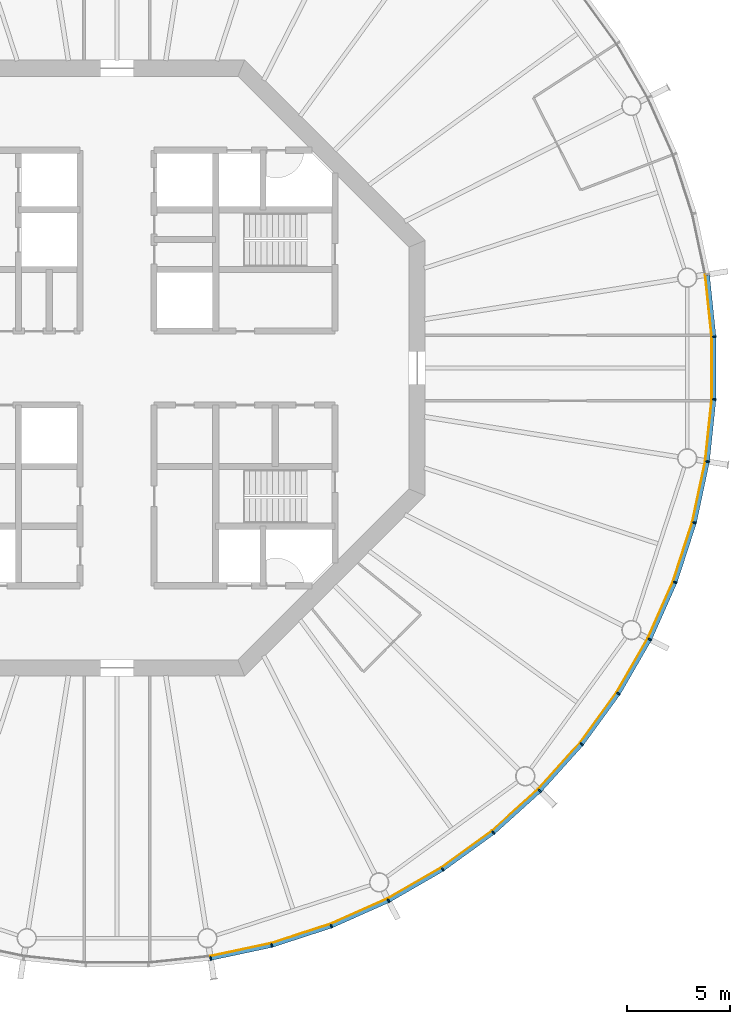
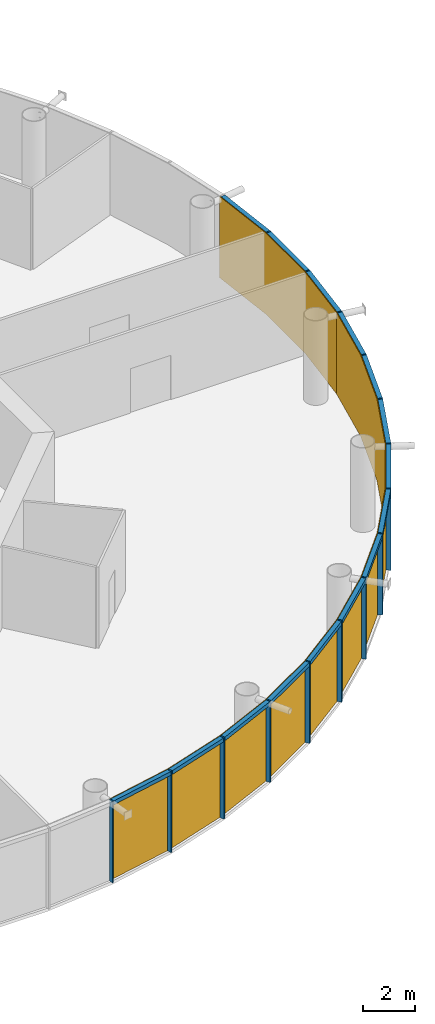
# One storey, part 12 of 16: 30 members, 5 curtain walls.
"""IFC4 building model written with IfcOpenShell, lengths in metres."""

import ifcopenshell
import ifcopenshell.guid

model = None  # the IFC model being written
_history = None  # IfcOwnerHistory: only IFC2X3 demands one
_inside = {}  # id of a spatial element -> (the spatial element, [elements in it])
_under = {}  # id of a project, library or spatial element -> (it, [spatial elements below it])
_declared = {}  # id of a project -> (the project, [libraries it declares])
_typed = {}  # id of a type object -> (the type object, [elements of that type])
_made_of = {}  # id of a material, layer set ... -> (it, [elements and type objects made of it])


def new_model(schema):
    """Start an empty IFC model of exactly this schema.

    Asked for "IFC4X3", IfcOpenShell would pick the latest addendum, in which some entities
    have other attributes; the version numbers below select the first issue.
    IFC2X3 requires an IfcOwnerHistory on every rooted entity: one is made here for all.
    """
    global model, _history
    if schema == "IFC4X3":
        model = ifcopenshell.file(schema_version=(4, 3, 0, 0))
    else:
        model = ifcopenshell.file(schema=schema)
    _inside.clear()
    _under.clear()
    _declared.clear()
    _typed.clear()
    _made_of.clear()
    _history = None
    if model.schema == "IFC2X3":
        org = make("IfcOrganization", Name="unknown")
        user = make(
            "IfcPersonAndOrganization",
            ThePerson=make("IfcPerson", FamilyName="unknown"),
            TheOrganization=org,
        )
        app = make(
            "IfcApplication",
            ApplicationDeveloper=org,
            Version="unknown",
            ApplicationFullName="unknown",
            ApplicationIdentifier="unknown",
        )
        _history = make(
            "IfcOwnerHistory",
            OwningUser=user,
            OwningApplication=app,
            ChangeAction="ADDED",
            CreationDate=0,
        )
    return model


def make(cls, **values):
    """One entity of the class cls with the attributes given. An attribute that is None is left unset."""
    return model.create_entity(
        cls, **{name: value for name, value in values.items() if value is not None}
    )


def rooted(cls, **values):
    """An entity with a GlobalId (a new one), such as an element, a storey or a relation."""
    return make(cls, GlobalId=ifcopenshell.guid.new(), OwnerHistory=_history, **values)


def si_unit(unit_type, name, prefix=None):
    """IfcSIUnit, for example si_unit("LENGTHUNIT", "METRE", prefix="MILLI")."""
    return make("IfcSIUnit", UnitType=unit_type, Prefix=prefix, Name=name)


def assignment(units):
    """IfcUnitAssignment: the units of a project."""
    return None if units is None else make("IfcUnitAssignment", Units=units)


def point(xyz):
    """IfcCartesianPoint."""
    return None if xyz is None else make("IfcCartesianPoint", Coordinates=xyz)


def direction(xyz):
    """IfcDirection."""
    return None if xyz is None else make("IfcDirection", DirectionRatios=xyz)


def frame(location, z_axis=None, x_axis=None):
    """IfcAxis2Placement3D, a coordinate frame: its origin and axes. An axis left out is left unset."""
    return make(
        "IfcAxis2Placement3D",
        Location=point(location),
        Axis=direction(z_axis),
        RefDirection=direction(x_axis),
    )


def frame_2d(location, x_axis=None):
    """IfcAxis2Placement2D, a coordinate frame in the plane: its origin and x axis."""
    return make(
        "IfcAxis2Placement2D", Location=point(location), RefDirection=direction(x_axis)
    )


def origin():
    """The frame at (0, 0, 0) with its axes left unset."""
    return frame((0.0, 0.0, 0.0))


def origin_2d():
    """The frame at (0, 0) in the plane with its x axis left unset."""
    return frame_2d((0.0, 0.0))


def place(relative_to, where):
    """IfcLocalPlacement: puts the frame where relative to a parent placement (None: the world)."""
    return make(
        "IfcLocalPlacement", PlacementRelTo=relative_to, RelativePlacement=where
    )


def context(
    kind, dimensions, precision=None, world=None, true_north=None, identifier=None
):
    """IfcGeometricRepresentationContext, for example the 3D "Model" context."""
    return make(
        "IfcGeometricRepresentationContext",
        ContextIdentifier=identifier,
        ContextType=kind,
        CoordinateSpaceDimension=dimensions,
        Precision=precision,
        WorldCoordinateSystem=world,
        TrueNorth=true_north,
    )


def subcontext(parent, identifier, kind, view, scale=None):
    """IfcGeometricRepresentationSubContext, for example "Body" below "Model"."""
    return make(
        "IfcGeometricRepresentationSubContext",
        ContextIdentifier=identifier,
        ContextType=kind,
        ParentContext=parent,
        TargetScale=scale,
        TargetView=view,
    )


def project(units=None, contexts=None):
    """IfcProject with its units and contexts."""
    return rooted(
        "IfcProject",
        Name="project",
        RepresentationContexts=contexts,
        UnitsInContext=assignment(units),
    )


def spatial(cls, under=None, at=None, **own):
    """A site, building, storey or space (cls), placed at a placement, below another one or the project."""
    s = rooted(cls, ObjectPlacement=at, **own)
    if under is not None:
        _under.setdefault(under.id(), (under, []))[1].append(s)
    return s


def polyline(points):
    """IfcPolyline through the points."""
    return make("IfcPolyline", Points=[point(p) for p in points])


def profile(cls, at=None, kind="AREA", **sizes):
    """A parametric profile (cls). Its sizes go by their IFC names, for example OverallWidth=200.0."""
    return make(cls, ProfileType=kind, Position=at, **sizes)


def rectangle(**sizes):
    """IfcRectangleProfileDef."""
    return profile("IfcRectangleProfileDef", **sizes)


def outline(outer, holes=None, kind="AREA"):
    """IfcArbitraryClosedProfileDef: a profile drawn as a closed curve; with holes, ...WithVoids."""
    if holes is None:
        return make("IfcArbitraryClosedProfileDef", ProfileType=kind, OuterCurve=outer)
    return make(
        "IfcArbitraryProfileDefWithVoids",
        ProfileType=kind,
        OuterCurve=outer,
        InnerCurves=holes,
    )


def extrude(swept, where, along, depth):
    """IfcExtrudedAreaSolid: the profile swept, set in the frame where, extruded along a direction by depth."""
    return make(
        "IfcExtrudedAreaSolid",
        SweptArea=swept,
        Position=where,
        ExtrudedDirection=direction(along),
        Depth=depth,
    )


def shape(context_of_items, identifier, shape_type, items):
    """IfcShapeRepresentation: the items that make up one representation, for example the "Body"."""
    return make(
        "IfcShapeRepresentation",
        ContextOfItems=context_of_items,
        RepresentationIdentifier=identifier,
        RepresentationType=shape_type,
        Items=items,
    )


def material(Name=None, Category=None):
    """IfcMaterial."""
    return make("IfcMaterial", Name=Name, Category=Category)


def layer(
    of_material, thickness, ventilated=None, Name=None, Category=None, Priority=None
):
    """IfcMaterialLayer: one layer of a wall or slab, of a material (None: an air gap)."""
    return make(
        "IfcMaterialLayer",
        Material=of_material,
        LayerThickness=thickness,
        IsVentilated=ventilated,
        Name=Name,
        Category=Category,
        Priority=Priority,
    )


def layer_set(layers, Name=None):
    """IfcMaterialLayerSet."""
    return make("IfcMaterialLayerSet", MaterialLayers=layers, LayerSetName=Name)


def material_profile(
    of_material, cross_section, Name=None, Category=None, Priority=None
):
    """IfcMaterialProfile: a cross section and its material."""
    return make(
        "IfcMaterialProfile",
        Name=Name,
        Material=of_material,
        Profile=cross_section,
        Priority=Priority,
        Category=Category,
    )


def profile_set(profiles, Name=None, composite=None):
    """IfcMaterialProfileSet."""
    return make(
        "IfcMaterialProfileSet",
        Name=Name,
        MaterialProfiles=profiles,
        CompositeProfile=composite,
    )


def made_of(thing, what):
    """Note that an element or type object is made of a material, layer set ...; save() writes the relation."""
    if what is not None:
        _made_of.setdefault(what.id(), (what, []))[1].append(thing)
    return thing


def type_object(cls, material=None, **own):
    """A type object (cls), such as IfcWallType, which elements share."""
    return made_of(rooted(cls, **own), material)


def element(
    cls,
    number,
    at=None,
    inside=None,
    cuts=None,
    type_object=None,
    material=None,
    context=None,
    identifier="Body",
    shape_type=None,
    held_by="IfcProductDefinitionShape",
    body=None,
    shapes=None,
    **own,
):
    """One element of the class cls, such as IfcWall. Its Tag is "e" and its number.

    at: its placement. inside: the storey or other place that contains it. cuts: it is an
    opening in that element (IfcRelVoidsElement). A single representation is given by context,
    identifier, shape_type and body (its items); several are given by shapes. held_by: the class
    of the entity that holds the representations. save() writes the other relations.
    """
    e = rooted(cls, Tag="e%d" % number, ObjectPlacement=at, **own)
    if body is not None:
        shapes = [shape(context, identifier, shape_type, body)]
    if shapes is not None:
        e.Representation = make(held_by, Representations=shapes)
    if inside is not None:
        _inside.setdefault(inside.id(), (inside, []))[1].append(e)
    if cuts is not None:
        rooted(
            "IfcRelVoidsElement", RelatingBuildingElement=cuts, RelatedOpeningElement=e
        )
    if type_object is not None:
        _typed.setdefault(type_object.id(), (type_object, []))[1].append(e)
    return made_of(e, material)


def aggregate(whole, parts):
    """IfcRelAggregates: a whole, such as a stair, and the parts it consists of."""
    return rooted("IfcRelAggregates", RelatingObject=whole, RelatedObjects=parts)


def save(model, path):
    """Write the relations noted so far, then the file.

    IfcRelAggregates (storeys below a building ...), IfcRelContainedInSpatialStructure (elements
    in a storey), IfcRelDefinesByType, IfcRelAssociatesMaterial and IfcRelDeclares: one each for
    every whole, place, type object, material and project.
    """
    for whole, parts in _under.values():
        aggregate(whole, parts)
    for where, things in _inside.values():
        rooted(
            "IfcRelContainedInSpatialStructure",
            RelatedElements=things,
            RelatingStructure=where,
        )
    for kind, things in _typed.values():
        rooted("IfcRelDefinesByType", RelatedObjects=things, RelatingType=kind)
    for what, things in _made_of.values():
        rooted("IfcRelAssociatesMaterial", RelatedObjects=things, RelatingMaterial=what)
    for by, libraries in _declared.values():
        rooted("IfcRelDeclares", RelatingContext=by, RelatedDefinitions=libraries)
    model.write(path)


model = new_model("IFC4")

# Units and contexts
model_context = context("Model", 3, precision=1e-05, world=origin(), true_north=direction((0.0, 1.0)))
body_context = subcontext(model_context, "Body", "Model", "MODEL_VIEW")
ifc_project = project(units=[si_unit("LENGTHUNIT", "METRE"), si_unit("AREAUNIT", "SQUARE_METRE"), si_unit("VOLUMEUNIT", "CUBIC_METRE"), si_unit("PLANEANGLEUNIT", "RADIAN"), si_unit("MASSUNIT", "GRAM", prefix="KILO")], contexts=[model_context])

# Member
ifc_material_1 = material(Name="Anodised aluminium", Category="aluminium")
ifc_material_profile_1 = material_profile(ifc_material_1, rectangle(XDim=0.06494140625, YDim=0.195068359375, at=origin_2d()), Name="Mullion 65 x 195 mm anodised aluminium")
ifc_profile_set_1 = profile_set([ifc_material_profile_1], Name="Anodised aluminium")
member_type_1 = type_object("IfcMemberType", Name="Mullion 65 x 195 mm anodised aluminium", PredefinedType="MULLION", material=ifc_profile_set_1)
site_placement = place(None, origin())
building_placement = place(site_placement, origin())
storey_placement = place(building_placement, frame((0.0, 0.0, 326.0)))
member_1_placement = place(storey_placement, frame((94.5517578125, 51.2607421875, 0.0), z_axis=(0.0, 0.0, 1.0), x_axis=(0.987688340595, 0.15643446504, 0.0)))
member_1 = element("IfcMember", 1, at=member_1_placement, type_object=member_type_1, Name="MULLION L75-45", PredefinedType="MULLION", context=body_context, shape_type="SweptSolid", body=[
    extrude(rectangle(XDim=0.06494140625, YDim=0.195068359375, at=origin_2d()), origin(), (0.0, 0.0, 1.0), 3.85009765625),
])

member_2_placement = place(storey_placement, frame((97.531005859375, 51.89404296875, 0.0), z_axis=(0.0, 0.0, 1.0), x_axis=(0.965925826289, 0.258819045103, 0.0)))
member_2 = element("IfcMember", 2, at=member_2_placement, type_object=member_type_1, Name="MULLION L75-46", PredefinedType="MULLION", context=body_context, shape_type="SweptSolid", body=[
    extrude(rectangle(XDim=0.06494140625, YDim=0.195068359375, at=origin_2d()), origin(), (0.0, 0.0, 1.0), 3.85009765625),
])

member_3_placement = place(storey_placement, frame((100.427490234375, 52.835205078125, 0.0), z_axis=(0.0, 0.0, 1.0), x_axis=(0.933580426497, 0.358367949545, 0.0)))
member_3 = element("IfcMember", 3, at=member_3_placement, type_object=member_type_1, Name="MULLION L75-47", PredefinedType="MULLION", context=body_context, shape_type="SweptSolid", body=[
    extrude(rectangle(XDim=0.06494140625, YDim=0.195068359375, at=origin_2d()), origin(), (0.0, 0.0, 1.0), 3.85009765625),
])

member_4_placement = place(storey_placement, frame((103.2099609375, 54.073974609375, 0.0), z_axis=(0.0, 0.0, 1.0), x_axis=(0.891006524188, 0.45399049974, 0.0)))
member_4 = element("IfcMember", 4, at=member_4_placement, type_object=member_type_1, Name="MULLION L75-48", PredefinedType="MULLION", context=body_context, shape_type="SweptSolid", body=[
    extrude(rectangle(XDim=0.06494140625, YDim=0.195068359375, at=origin_2d()), origin(), (0.0, 0.0, 1.0), 3.85009765625),
])

member_5_placement = place(storey_placement, frame((105.84765625, 55.5966796875, 0.0), z_axis=(0.0, 0.0, 1.0), x_axis=(0.838670567945, 0.544639035015, 0.0)))
member_5 = element("IfcMember", 5, at=member_5_placement, type_object=member_type_1, Name="MULLION L75-49", PredefinedType="MULLION", context=body_context, shape_type="SweptSolid", body=[
    extrude(rectangle(XDim=0.06494140625, YDim=0.195068359375, at=origin_2d()), origin(), (0.0, 0.0, 1.0), 3.85009765625),
])

member_6_placement = place(storey_placement, frame((108.311767578125, 57.386962890625, 0.0), z_axis=(0.0, 0.0, 1.0), x_axis=(0.777145961457, 0.62932039105, 0.0)))
member_6 = element("IfcMember", 6, at=member_6_placement, type_object=member_type_1, Name="MULLION L75-50", PredefinedType="MULLION", context=body_context, shape_type="SweptSolid", body=[
    extrude(rectangle(XDim=0.06494140625, YDim=0.195068359375, at=origin_2d()), origin(), (0.0, 0.0, 1.0), 3.85009765625),
])

member_7_placement = place(storey_placement, frame((110.574951171875, 59.425048828125, 0.0), z_axis=(0.0, 0.0, 1.0), x_axis=(0.707106781187, 0.707106781187, 0.0)))
member_7 = element("IfcMember", 7, at=member_7_placement, type_object=member_type_1, Name="MULLION L75-51", PredefinedType="MULLION", context=body_context, shape_type="SweptSolid", body=[
    extrude(rectangle(XDim=0.06494140625, YDim=0.195068359375, at=origin_2d()), origin(), (0.0, 0.0, 1.0), 3.85009765625),
])

member_8_placement = place(storey_placement, frame((112.613037109375, 61.688232421875, 0.0), z_axis=(0.0, 0.0, 1.0), x_axis=(0.62932039105, 0.777145961457, 0.0)))
member_8 = element("IfcMember", 8, at=member_8_placement, type_object=member_type_1, Name="MULLION L75-52", PredefinedType="MULLION", context=body_context, shape_type="SweptSolid", body=[
    extrude(rectangle(XDim=0.06494140625, YDim=0.195068359375, at=origin_2d()), origin(), (0.0, 0.0, 1.0), 3.85009765625),
])

member_9_placement = place(storey_placement, frame((114.4033203125, 64.15234375, 0.0), z_axis=(0.0, 0.0, 1.0), x_axis=(0.544639035015, 0.838670567945, 0.0)))
member_9 = element("IfcMember", 9, at=member_9_placement, type_object=member_type_1, Name="MULLION L75-53", PredefinedType="MULLION", context=body_context, shape_type="SweptSolid", body=[
    extrude(rectangle(XDim=0.06494140625, YDim=0.195068359375, at=origin_2d()), origin(), (0.0, 0.0, 1.0), 3.85009765625),
])

member_10_placement = place(storey_placement, frame((115.926025390625, 66.7900390625, 0.0), z_axis=(0.0, 0.0, 1.0), x_axis=(0.45399049974, 0.891006524188, 0.0)))
member_10 = element("IfcMember", 10, at=member_10_placement, type_object=member_type_1, Name="MULLION L75-54", PredefinedType="MULLION", context=body_context, shape_type="SweptSolid", body=[
    extrude(rectangle(XDim=0.06494140625, YDim=0.195068359375, at=origin_2d()), origin(), (0.0, 0.0, 1.0), 3.85009765625),
])

member_11_placement = place(storey_placement, frame((117.164794921875, 69.572509765625, 0.0), z_axis=(0.0, 0.0, 1.0), x_axis=(0.358367949545, 0.933580426497, 0.0)))
member_11 = element("IfcMember", 11, at=member_11_placement, type_object=member_type_1, Name="MULLION L75-55", PredefinedType="MULLION", context=body_context, shape_type="SweptSolid", body=[
    extrude(rectangle(XDim=0.06494140625, YDim=0.195068359375, at=origin_2d()), origin(), (0.0, 0.0, 1.0), 3.85009765625),
])

member_12_placement = place(storey_placement, frame((118.10595703125, 72.468994140625, 0.0), z_axis=(0.0, 0.0, 1.0), x_axis=(0.258819045103, 0.965925826289, 0.0)))
member_12 = element("IfcMember", 12, at=member_12_placement, type_object=member_type_1, Name="MULLION L75-56", PredefinedType="MULLION", context=body_context, shape_type="SweptSolid", body=[
    extrude(rectangle(XDim=0.06494140625, YDim=0.195068359375, at=origin_2d()), origin(), (0.0, 0.0, 1.0), 3.85009765625),
])

member_13_placement = place(storey_placement, frame((118.7392578125, 75.4482421875, 0.0), z_axis=(0.0, 0.0, 1.0), x_axis=(0.15643446504, 0.987688340595, 0.0)))
member_13 = element("IfcMember", 13, at=member_13_placement, type_object=member_type_1, Name="MULLION L75-57", PredefinedType="MULLION", context=body_context, shape_type="SweptSolid", body=[
    extrude(rectangle(XDim=0.06494140625, YDim=0.195068359375, at=origin_2d()), origin(), (0.0, 0.0, 1.0), 3.85009765625),
])

member_14_placement = place(storey_placement, frame((119.0576171875, 78.47705078125, 0.0), z_axis=(0.0, 0.0, 1.0), x_axis=(0.052335956243, 0.998629534755, 0.0)))
member_14 = element("IfcMember", 14, at=member_14_placement, type_object=member_type_1, Name="MULLION L75-58", PredefinedType="MULLION", context=body_context, shape_type="SweptSolid", body=[
    extrude(rectangle(XDim=0.06494140625, YDim=0.195068359375, at=origin_2d()), origin(), (0.0, 0.0, 1.0), 3.85009765625),
])

member_15_placement = place(storey_placement, frame((119.0576171875, 81.52294921875, 0.0), z_axis=(0.0, 0.0, 1.0), x_axis=(-0.052335956243, 0.998629534755, 0.0)))
member_15 = element("IfcMember", 15, at=member_15_placement, type_object=member_type_1, Name="MULLION L75-59", PredefinedType="MULLION", context=body_context, shape_type="SweptSolid", body=[
    extrude(rectangle(XDim=0.06494140625, YDim=0.195068359375, at=origin_2d()), origin(), (0.0, 0.0, 1.0), 3.85009765625),
])

ifc_material_2 = material(Name="Anodised aluminium", Category="aluminium")
ifc_material_profile_2 = material_profile(ifc_material_2, rectangle(XDim=0.195068359375, YDim=0.179931640625, at=origin_2d()), Name="Transom 180 x 195 mm anodised aluminium")
ifc_profile_set_2 = profile_set([ifc_material_profile_2], Name="Anodised aluminium")
member_type_2 = type_object("IfcMemberType", Name="Transom 180 x 195 mm anodised aluminium", PredefinedType="USERDEFINED", material=ifc_profile_set_2)
member_16_placement = place(storey_placement, frame((94.588623046875, 51.268310546875, 3.760009765625), z_axis=(0.978141510112, 0.207940342877, 0.0), x_axis=(-0.207940342877, 0.978141510112, 0.0)))
member_16 = element("IfcMember", 16, at=member_16_placement, type_object=member_type_2, Name="TRANSOM L75-45", ObjectType="TRANSOM", PredefinedType="USERDEFINED", context=body_context, shape_type="SweptSolid", body=[
    extrude(rectangle(XDim=0.195068359375, YDim=0.179931640625, at=origin_2d()), origin(), (0.0, 0.0, 1.0), 2.970458984375),
])

member_17_placement = place(storey_placement, frame((97.56689453125, 51.905517578125, 3.760009765625), z_axis=(0.951047960094, 0.309043326415, 0.0), x_axis=(-0.309043326415, 0.951047960094, 0.0)))
member_17 = element("IfcMember", 17, at=member_17_placement, type_object=member_type_2, Name="TRANSOM L75-46", ObjectType="TRANSOM", PredefinedType="USERDEFINED", context=body_context, shape_type="SweptSolid", body=[
    extrude(rectangle(XDim=0.195068359375, YDim=0.179931640625, at=origin_2d()), origin(), (0.0, 0.0, 1.0), 2.970458984375),
])

member_18_placement = place(storey_placement, frame((100.4619140625, 52.850341796875, 3.760009765625), z_axis=(0.913550406593, 0.406725527369, 0.0), x_axis=(-0.406725527369, 0.913550406593, 0.0)))
member_18 = element("IfcMember", 18, at=member_18_placement, type_object=member_type_2, Name="TRANSOM L75-47", ObjectType="TRANSOM", PredefinedType="USERDEFINED", context=body_context, shape_type="SweptSolid", body=[
    extrude(rectangle(XDim=0.195068359375, YDim=0.179931640625, at=origin_2d()), origin(), (0.0, 0.0, 1.0), 2.970703125),
])

member_19_placement = place(storey_placement, frame((103.24267578125, 54.092529296875, 3.760009765625), z_axis=(0.866009025146, 0.500028367561, 0.0), x_axis=(-0.500028367561, 0.866009025146, 0.0)))
member_19 = element("IfcMember", 19, at=member_19_placement, type_object=member_type_2, Name="TRANSOM L75-48", ObjectType="TRANSOM", PredefinedType="USERDEFINED", context=body_context, shape_type="SweptSolid", body=[
    extrude(rectangle(XDim=0.195068359375, YDim=0.179931640625, at=origin_2d()), origin(), (0.0, 0.0, 1.0), 2.970458984375),
])

member_20_placement = place(storey_placement, frame((105.878173828125, 55.618896484375, 3.760009765625), z_axis=(0.809030990733, 0.587765987476, 0.0), x_axis=(-0.587765987476, 0.809030990733, 0.0)))
member_20 = element("IfcMember", 20, at=member_20_placement, type_object=member_type_2, Name="TRANSOM L75-49", ObjectType="TRANSOM", PredefinedType="USERDEFINED", context=body_context, shape_type="SweptSolid", body=[
    extrude(rectangle(XDim=0.195068359375, YDim=0.179931640625, at=origin_2d()), origin(), (0.0, 0.0, 1.0), 2.97021484375),
])

member_21_placement = place(storey_placement, frame((108.339599609375, 57.412109375, 3.760009765625), z_axis=(0.743163354343, 0.669110027395, 0.0), x_axis=(-0.669110027395, 0.743163354343, 0.0)))
member_21 = element("IfcMember", 21, at=member_21_placement, type_object=member_type_2, Name="TRANSOM L75-50", ObjectType="TRANSOM", PredefinedType="USERDEFINED", context=body_context, shape_type="SweptSolid", body=[
    extrude(rectangle(XDim=0.195068359375, YDim=0.179931640625, at=origin_2d()), origin(), (0.0, 0.0, 1.0), 2.970458984375),
])

member_22_placement = place(storey_placement, frame((110.600341796875, 59.452880859375, 3.760009765625), z_axis=(0.669110027395, 0.743163354343, 0.0), x_axis=(-0.743163354343, 0.669110027395, 0.0)))
member_22 = element("IfcMember", 22, at=member_22_placement, type_object=member_type_2, Name="TRANSOM L75-51", ObjectType="TRANSOM", PredefinedType="USERDEFINED", context=body_context, shape_type="SweptSolid", body=[
    extrude(rectangle(XDim=0.195068359375, YDim=0.179931640625, at=origin_2d()), origin(), (0.0, 0.0, 1.0), 2.970458984375),
])

member_23_placement = place(storey_placement, frame((112.63525390625, 61.71875, 3.760009765625), z_axis=(0.587765987476, 0.809030990733, 0.0), x_axis=(-0.809030990733, 0.587765987476, 0.0)))
member_23 = element("IfcMember", 23, at=member_23_placement, type_object=member_type_2, Name="TRANSOM L75-52", ObjectType="TRANSOM", PredefinedType="USERDEFINED", context=body_context, shape_type="SweptSolid", body=[
    extrude(rectangle(XDim=0.195068359375, YDim=0.179931640625, at=origin_2d()), origin(), (0.0, 0.0, 1.0), 2.97021484375),
])

member_24_placement = place(storey_placement, frame((114.422119140625, 64.184814453125, 3.760009765625), z_axis=(0.500028367561, 0.866009025146, 0.0), x_axis=(-0.866009025146, 0.500028367561, 0.0)))
member_24 = element("IfcMember", 24, at=member_24_placement, type_object=member_type_2, Name="TRANSOM L75-53", ObjectType="TRANSOM", PredefinedType="USERDEFINED", context=body_context, shape_type="SweptSolid", body=[
    extrude(rectangle(XDim=0.195068359375, YDim=0.179931640625, at=origin_2d()), origin(), (0.0, 0.0, 1.0), 2.970458984375),
])

member_25_placement = place(storey_placement, frame((115.94140625, 66.82421875, 3.760009765625), z_axis=(0.406725527369, 0.913550406593, 0.0), x_axis=(-0.913550406593, 0.406725527369, 0.0)))
member_25 = element("IfcMember", 25, at=member_25_placement, type_object=member_type_2, Name="TRANSOM L75-54", ObjectType="TRANSOM", PredefinedType="USERDEFINED", context=body_context, shape_type="SweptSolid", body=[
    extrude(rectangle(XDim=0.195068359375, YDim=0.179931640625, at=origin_2d()), origin(), (0.0, 0.0, 1.0), 2.970703125),
])

member_26_placement = place(storey_placement, frame((117.176513671875, 69.608154296875, 3.760009765625), z_axis=(0.309043326415, 0.951047960094, 0.0), x_axis=(-0.951047960094, 0.309043326415, 0.0)))
member_26 = element("IfcMember", 26, at=member_26_placement, type_object=member_type_2, Name="TRANSOM L75-55", ObjectType="TRANSOM", PredefinedType="USERDEFINED", context=body_context, shape_type="SweptSolid", body=[
    extrude(rectangle(XDim=0.195068359375, YDim=0.179931640625, at=origin_2d()), origin(), (0.0, 0.0, 1.0), 2.970458984375),
])

member_27_placement = place(storey_placement, frame((118.114013671875, 72.505859375, 3.760009765625), z_axis=(0.207940342877, 0.978141510112, 0.0), x_axis=(-0.978141510112, 0.207940342877, 0.0)))
member_27 = element("IfcMember", 27, at=member_27_placement, type_object=member_type_2, Name="TRANSOM L75-56", ObjectType="TRANSOM", PredefinedType="USERDEFINED", context=body_context, shape_type="SweptSolid", body=[
    extrude(rectangle(XDim=0.195068359375, YDim=0.179931640625, at=origin_2d()), origin(), (0.0, 0.0, 1.0), 2.970458984375),
])

member_28_placement = place(storey_placement, frame((118.743408203125, 75.485595703125, 3.760009765625), z_axis=(0.104466577987, 0.994528397827, 0.0), x_axis=(-0.994528397827, 0.104466577987, 0.0)))
member_28 = element("IfcMember", 28, at=member_28_placement, type_object=member_type_2, Name="TRANSOM L75-57", ObjectType="TRANSOM", PredefinedType="USERDEFINED", context=body_context, shape_type="SweptSolid", body=[
    extrude(rectangle(XDim=0.195068359375, YDim=0.179931640625, at=origin_2d()), origin(), (0.0, 0.0, 1.0), 2.970458984375),
])

member_29_placement = place(storey_placement, frame((119.057861328125, 78.5146484375, 3.760009765625), z_axis=(0.0, 1.0, 0.0), x_axis=(-1.0, 0.0, 0.0)))
member_29 = element("IfcMember", 29, at=member_29_placement, type_object=member_type_2, Name="TRANSOM L75-58", ObjectType="TRANSOM", PredefinedType="USERDEFINED", context=body_context, shape_type="SweptSolid", body=[
    extrude(rectangle(XDim=0.195068359375, YDim=0.179931640625, at=origin_2d()), origin(), (0.0, 0.0, 1.0), 2.970703125),
])

member_30_placement = place(storey_placement, frame((119.0537109375, 81.560302734375, 3.760009765625), z_axis=(-0.104466577987, 0.994528397827, 0.0), x_axis=(-0.994528397827, -0.104466577987, 0.0)))
member_30 = element("IfcMember", 30, at=member_30_placement, type_object=member_type_2, Name="TRANSOM L75-59", ObjectType="TRANSOM", PredefinedType="USERDEFINED", context=body_context, shape_type="SweptSolid", body=[
    extrude(rectangle(XDim=0.195068359375, YDim=0.179931640625, at=origin_2d()), origin(), (0.0, 0.0, 1.0), 2.970458984375),
])

# Site, building, storey
site = spatial("IfcSite", under=ifc_project, at=site_placement, CompositionType="ELEMENT")
building = spatial("IfcBuilding", under=site, at=building_placement, Name="Entoto Ring Tower", CompositionType="ELEMENT")
storey = spatial("IfcBuildingStorey", under=building, at=storey_placement, Name="L75", CompositionType="ELEMENT", Elevation=326.0)

# Curtain wall
ifc_material_3 = material(Name="Clear low-iron glass", Category="glass")
ifc_layer = layer(ifc_material_3, 0.033935546875)
ifc_layer_set = layer_set([ifc_layer], Name="Clear low-iron glass")
curtain_wall_type = type_object("IfcCurtainWallType", Name="Curtain wall system CW5 glazing 34 mm", PredefinedType="NOTDEFINED", material=ifc_layer_set)
curtain_wall_1_placement = place(storey_placement, origin())
curtain_wall_1 = element("IfcCurtainWall", 31, at=curtain_wall_1_placement, inside=storey, type_object=curtain_wall_type, Name="CW5 L75-16", PredefinedType="NOTDEFINED", context=body_context, shape_type="SweptSolid", body=[
    extrude(outline(polyline([(94.53662109375, 51.35693359375), (97.505859375, 51.988037109375), (100.392578125, 52.92626953125), (103.165771484375, 54.160888671875), (103.150146484375, 54.191162109375), (100.38037109375, 52.9580078125), (97.496826171875, 52.02099609375), (94.53125, 51.390625), (94.53662109375, 51.35693359375)])), origin(), (0.0, 0.0, 1.0), 3.85009765625),
])

aggregate(curtain_wall_1, [member_1, member_2, member_3, member_16, member_17, member_18])

curtain_wall_2_placement = place(storey_placement, origin())
curtain_wall_2 = element("IfcCurtainWall", 32, at=curtain_wall_2_placement, inside=storey, type_object=curtain_wall_type, Name="CW5 L75-17", PredefinedType="NOTDEFINED", context=body_context, shape_type="SweptSolid", body=[
    extrude(outline(polyline([(103.165771484375, 54.160888671875), (105.79443359375, 55.678466796875), (108.250244140625, 57.462646484375), (110.506103515625, 59.493896484375), (110.48193359375, 59.51806640625), (108.228759765625, 57.4892578125), (105.77587890625, 55.70703125), (103.150146484375, 54.191162109375), (103.165771484375, 54.160888671875)])), origin(), (0.0, 0.0, 1.0), 3.85009765625),
])

aggregate(curtain_wall_2, [member_4, member_5, member_6, member_19, member_20, member_21])

curtain_wall_3_placement = place(storey_placement, origin())
curtain_wall_3 = element("IfcCurtainWall", 33, at=curtain_wall_3_placement, inside=storey, type_object=curtain_wall_type, Name="CW5 L75-18", PredefinedType="NOTDEFINED", context=body_context, shape_type="SweptSolid", body=[
    extrude(outline(polyline([(110.506103515625, 59.493896484375), (112.537353515625, 61.749755859375), (114.321533203125, 64.20556640625), (115.839111328125, 66.834228515625), (115.808837890625, 66.849853515625), (114.29296875, 64.22412109375), (112.5107421875, 61.771240234375), (110.48193359375, 59.51806640625), (110.506103515625, 59.493896484375)])), origin(), (0.0, 0.0, 1.0), 3.85009765625),
])

aggregate(curtain_wall_3, [member_7, member_8, member_9, member_22, member_23, member_24])

curtain_wall_4_placement = place(storey_placement, origin())
curtain_wall_4 = element("IfcCurtainWall", 34, at=curtain_wall_4_placement, inside=storey, type_object=curtain_wall_type, Name="CW5 L75-19", PredefinedType="NOTDEFINED", context=body_context, shape_type="SweptSolid", body=[
    extrude(outline(polyline([(115.839111328125, 66.834228515625), (117.07373046875, 69.607421875), (118.011962890625, 72.494140625), (118.64306640625, 75.46337890625), (118.609375, 75.46875), (117.97900390625, 72.503173828125), (117.0419921875, 69.61962890625), (115.808837890625, 66.849853515625), (115.839111328125, 66.834228515625)])), origin(), (0.0, 0.0, 1.0), 3.85009765625),
])

aggregate(curtain_wall_4, [member_10, member_11, member_12, member_25, member_26, member_27])

curtain_wall_5_placement = place(storey_placement, origin())
curtain_wall_5 = element("IfcCurtainWall", 35, at=curtain_wall_5_placement, inside=storey, type_object=curtain_wall_type, Name="CW5 L75-20", PredefinedType="NOTDEFINED", context=body_context, shape_type="SweptSolid", body=[
    extrude(outline(polyline([(118.64306640625, 75.46337890625), (118.960205078125, 78.482177734375), (118.960205078125, 81.517822265625), (118.64306640625, 84.53662109375), (118.609375, 84.53125), (118.92626953125, 81.515869140625), (118.92626953125, 78.484130859375), (118.609375, 75.46875), (118.64306640625, 75.46337890625)])), origin(), (0.0, 0.0, 1.0), 3.85009765625),
])

aggregate(curtain_wall_5, [member_13, member_14, member_15, member_28, member_29, member_30])

save(model, "model.ifc")
